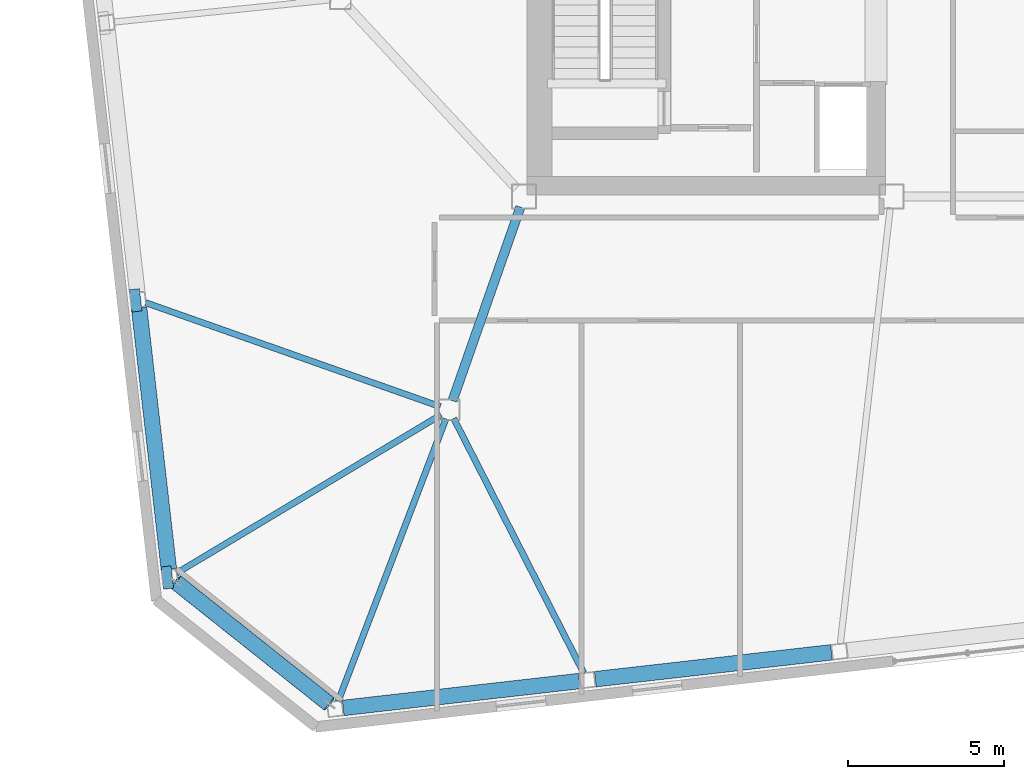
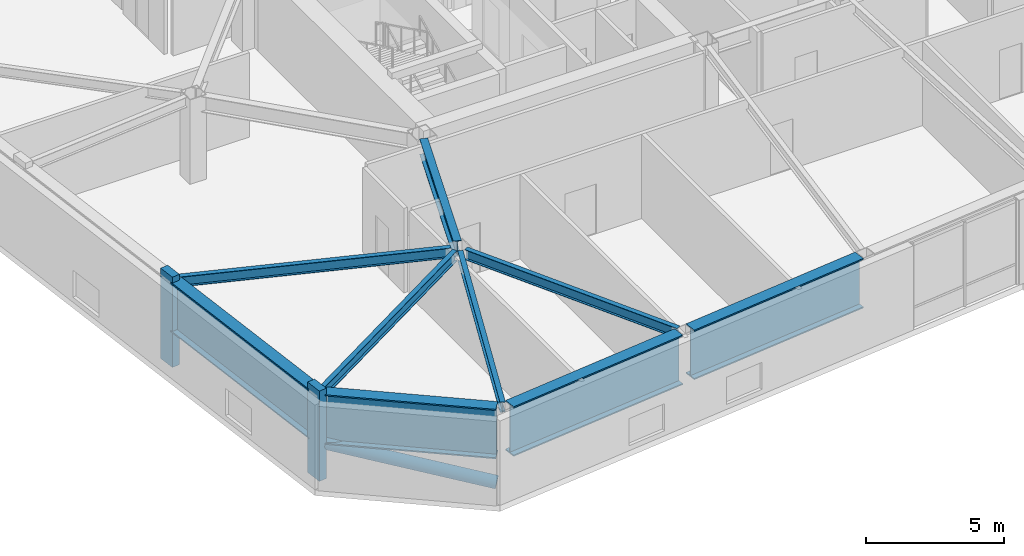
# One storey, part 3 of 20: 9 beams, 3 members.
"""IFC4 building model written with IfcOpenShell, lengths in metres."""

import ifcopenshell
import ifcopenshell.guid

model = None  # the IFC model being written
_history = None  # IfcOwnerHistory: only IFC2X3 demands one
_inside = {}  # id of a spatial element -> (the spatial element, [elements in it])
_under = {}  # id of a project, library or spatial element -> (it, [spatial elements below it])
_declared = {}  # id of a project -> (the project, [libraries it declares])
_typed = {}  # id of a type object -> (the type object, [elements of that type])
_made_of = {}  # id of a material, layer set ... -> (it, [elements and type objects made of it])


def new_model(schema):
    """Start an empty IFC model of exactly this schema.

    Asked for "IFC4X3", IfcOpenShell would pick the latest addendum, in which some entities
    have other attributes; the version numbers below select the first issue.
    IFC2X3 requires an IfcOwnerHistory on every rooted entity: one is made here for all.
    """
    global model, _history
    if schema == "IFC4X3":
        model = ifcopenshell.file(schema_version=(4, 3, 0, 0))
    else:
        model = ifcopenshell.file(schema=schema)
    _inside.clear()
    _under.clear()
    _declared.clear()
    _typed.clear()
    _made_of.clear()
    _history = None
    if model.schema == "IFC2X3":
        org = make("IfcOrganization", Name="unknown")
        user = make(
            "IfcPersonAndOrganization",
            ThePerson=make("IfcPerson", FamilyName="unknown"),
            TheOrganization=org,
        )
        app = make(
            "IfcApplication",
            ApplicationDeveloper=org,
            Version="unknown",
            ApplicationFullName="unknown",
            ApplicationIdentifier="unknown",
        )
        _history = make(
            "IfcOwnerHistory",
            OwningUser=user,
            OwningApplication=app,
            ChangeAction="ADDED",
            CreationDate=0,
        )
    return model


def make(cls, **values):
    """One entity of the class cls with the attributes given. An attribute that is None is left unset."""
    return model.create_entity(
        cls, **{name: value for name, value in values.items() if value is not None}
    )


def rooted(cls, **values):
    """An entity with a GlobalId (a new one), such as an element, a storey or a relation."""
    return make(cls, GlobalId=ifcopenshell.guid.new(), OwnerHistory=_history, **values)


def si_unit(unit_type, name, prefix=None):
    """IfcSIUnit, for example si_unit("LENGTHUNIT", "METRE", prefix="MILLI")."""
    return make("IfcSIUnit", UnitType=unit_type, Prefix=prefix, Name=name)


def assignment(units):
    """IfcUnitAssignment: the units of a project."""
    return None if units is None else make("IfcUnitAssignment", Units=units)


def point(xyz):
    """IfcCartesianPoint."""
    return None if xyz is None else make("IfcCartesianPoint", Coordinates=xyz)


def direction(xyz):
    """IfcDirection."""
    return None if xyz is None else make("IfcDirection", DirectionRatios=xyz)


def frame(location, z_axis=None, x_axis=None):
    """IfcAxis2Placement3D, a coordinate frame: its origin and axes. An axis left out is left unset."""
    return make(
        "IfcAxis2Placement3D",
        Location=point(location),
        Axis=direction(z_axis),
        RefDirection=direction(x_axis),
    )


def frame_2d(location, x_axis=None):
    """IfcAxis2Placement2D, a coordinate frame in the plane: its origin and x axis."""
    return make(
        "IfcAxis2Placement2D", Location=point(location), RefDirection=direction(x_axis)
    )


def origin():
    """The frame at (0, 0, 0) with its axes left unset."""
    return frame((0.0, 0.0, 0.0))


def origin_2d():
    """The frame at (0, 0) in the plane with its x axis left unset."""
    return frame_2d((0.0, 0.0))


def place(relative_to, where):
    """IfcLocalPlacement: puts the frame where relative to a parent placement (None: the world)."""
    return make(
        "IfcLocalPlacement", PlacementRelTo=relative_to, RelativePlacement=where
    )


def context(
    kind, dimensions, precision=None, world=None, true_north=None, identifier=None
):
    """IfcGeometricRepresentationContext, for example the 3D "Model" context."""
    return make(
        "IfcGeometricRepresentationContext",
        ContextIdentifier=identifier,
        ContextType=kind,
        CoordinateSpaceDimension=dimensions,
        Precision=precision,
        WorldCoordinateSystem=world,
        TrueNorth=true_north,
    )


def subcontext(parent, identifier, kind, view, scale=None):
    """IfcGeometricRepresentationSubContext, for example "Body" below "Model"."""
    return make(
        "IfcGeometricRepresentationSubContext",
        ContextIdentifier=identifier,
        ContextType=kind,
        ParentContext=parent,
        TargetScale=scale,
        TargetView=view,
    )


def project(units=None, contexts=None):
    """IfcProject with its units and contexts."""
    return rooted(
        "IfcProject",
        Name="project",
        RepresentationContexts=contexts,
        UnitsInContext=assignment(units),
    )


def spatial(cls, under=None, at=None, **own):
    """A site, building, storey or space (cls), placed at a placement, below another one or the project."""
    s = rooted(cls, ObjectPlacement=at, **own)
    if under is not None:
        _under.setdefault(under.id(), (under, []))[1].append(s)
    return s


def profile(cls, at=None, kind="AREA", **sizes):
    """A parametric profile (cls). Its sizes go by their IFC names, for example OverallWidth=200.0."""
    return make(cls, ProfileType=kind, Position=at, **sizes)


def rectangle(**sizes):
    """IfcRectangleProfileDef."""
    return profile("IfcRectangleProfileDef", **sizes)


def hollow_circle(**sizes):
    """IfcCircleHollowProfileDef."""
    return profile("IfcCircleHollowProfileDef", **sizes)


def i_section(**sizes):
    """IfcIShapeProfileDef."""
    return profile("IfcIShapeProfileDef", **sizes)


def extrude(swept, where, along, depth):
    """IfcExtrudedAreaSolid: the profile swept, set in the frame where, extruded along a direction by depth."""
    return make(
        "IfcExtrudedAreaSolid",
        SweptArea=swept,
        Position=where,
        ExtrudedDirection=direction(along),
        Depth=depth,
    )


def shape(context_of_items, identifier, shape_type, items):
    """IfcShapeRepresentation: the items that make up one representation, for example the "Body"."""
    return make(
        "IfcShapeRepresentation",
        ContextOfItems=context_of_items,
        RepresentationIdentifier=identifier,
        RepresentationType=shape_type,
        Items=items,
    )


def material(Name=None, Category=None):
    """IfcMaterial."""
    return make("IfcMaterial", Name=Name, Category=Category)


def material_profile(
    of_material, cross_section, Name=None, Category=None, Priority=None
):
    """IfcMaterialProfile: a cross section and its material."""
    return make(
        "IfcMaterialProfile",
        Name=Name,
        Material=of_material,
        Profile=cross_section,
        Priority=Priority,
        Category=Category,
    )


def profile_set(profiles, Name=None, composite=None):
    """IfcMaterialProfileSet."""
    return make(
        "IfcMaterialProfileSet",
        Name=Name,
        MaterialProfiles=profiles,
        CompositeProfile=composite,
    )


def made_of(thing, what):
    """Note that an element or type object is made of a material, layer set ...; save() writes the relation."""
    if what is not None:
        _made_of.setdefault(what.id(), (what, []))[1].append(thing)
    return thing


def type_object(cls, material=None, **own):
    """A type object (cls), such as IfcWallType, which elements share."""
    return made_of(rooted(cls, **own), material)


def element(
    cls,
    number,
    at=None,
    inside=None,
    cuts=None,
    type_object=None,
    material=None,
    context=None,
    identifier="Body",
    shape_type=None,
    held_by="IfcProductDefinitionShape",
    body=None,
    shapes=None,
    **own,
):
    """One element of the class cls, such as IfcWall. Its Tag is "e" and its number.

    at: its placement. inside: the storey or other place that contains it. cuts: it is an
    opening in that element (IfcRelVoidsElement). A single representation is given by context,
    identifier, shape_type and body (its items); several are given by shapes. held_by: the class
    of the entity that holds the representations. save() writes the other relations.
    """
    e = rooted(cls, Tag="e%d" % number, ObjectPlacement=at, **own)
    if body is not None:
        shapes = [shape(context, identifier, shape_type, body)]
    if shapes is not None:
        e.Representation = make(held_by, Representations=shapes)
    if inside is not None:
        _inside.setdefault(inside.id(), (inside, []))[1].append(e)
    if cuts is not None:
        rooted(
            "IfcRelVoidsElement", RelatingBuildingElement=cuts, RelatedOpeningElement=e
        )
    if type_object is not None:
        _typed.setdefault(type_object.id(), (type_object, []))[1].append(e)
    return made_of(e, material)


def aggregate(whole, parts):
    """IfcRelAggregates: a whole, such as a stair, and the parts it consists of."""
    return rooted("IfcRelAggregates", RelatingObject=whole, RelatedObjects=parts)


def save(model, path):
    """Write the relations noted so far, then the file.

    IfcRelAggregates (storeys below a building ...), IfcRelContainedInSpatialStructure (elements
    in a storey), IfcRelDefinesByType, IfcRelAssociatesMaterial and IfcRelDeclares: one each for
    every whole, place, type object, material and project.
    """
    for whole, parts in _under.values():
        aggregate(whole, parts)
    for where, things in _inside.values():
        rooted(
            "IfcRelContainedInSpatialStructure",
            RelatedElements=things,
            RelatingStructure=where,
        )
    for kind, things in _typed.values():
        rooted("IfcRelDefinesByType", RelatedObjects=things, RelatingType=kind)
    for what, things in _made_of.values():
        rooted("IfcRelAssociatesMaterial", RelatedObjects=things, RelatingMaterial=what)
    for by, libraries in _declared.values():
        rooted("IfcRelDeclares", RelatingContext=by, RelatedDefinitions=libraries)
    model.write(path)


model = new_model("IFC4")

# Units and contexts
model_context = context("Model", 3, precision=1e-05, world=origin(), true_north=direction((0.0, 1.0)))
body_context = subcontext(model_context, "Body", "Model", "MODEL_VIEW")
ifc_project = project(units=[si_unit("LENGTHUNIT", "METRE"), si_unit("AREAUNIT", "SQUARE_METRE"), si_unit("VOLUMEUNIT", "CUBIC_METRE"), si_unit("PLANEANGLEUNIT", "RADIAN"), si_unit("MASSUNIT", "GRAM", prefix="KILO")], contexts=[model_context])

# Site, building, storey
site_placement = place(None, origin())
site = spatial("IfcSite", under=ifc_project, at=site_placement, CompositionType="ELEMENT")
building_placement = place(site_placement, origin())
building = spatial("IfcBuilding", under=site, at=building_placement, Name="Tavrogorsk Clinical Tower", CompositionType="ELEMENT")
storey_placement = place(building_placement, frame((0.0, 0.0, 234.199951171875)))
storey = spatial("IfcBuildingStorey", under=building, at=storey_placement, Name="L54", CompositionType="ELEMENT", Elevation=234.199951171875)

# Member
ifc_material_1 = material(Name="Structural steel S440", Category="steel")
ifc_material_profile_1 = material_profile(ifc_material_1, hollow_circle(Radius=0.25390625, WallThickness=0.02001953125, at=origin_2d()), Name="CHS-508x20")
ifc_profile_set_1 = profile_set([ifc_material_profile_1], Name="Structural steel S440")
member_type_1 = type_object("IfcMemberType", Name="ExoBrace_CHS508", PredefinedType="BRACE", material=ifc_profile_set_1)
member_placement = place(storey_placement, frame((-28.363525390625, -22.644287109375, 0.344482421875), z_axis=(-0.770848240557, 0.613163423379, 0.172695125176), x_axis=(-0.622516531029, -0.782606649981, 0.0)))
element("IfcMember", 1, at=member_placement, inside=storey, type_object=member_type_1, Name="L54 Corner Exoskeleton Brace W5-S1", PredefinedType="BRACE", context=body_context, shape_type="SweptSolid", body=[
    extrude(hollow_circle(Radius=0.25390625, WallThickness=0.02001953125, at=origin_2d()), origin(), (0.0, 0.0, 1.0), 6.375732421875),
])

# Beams
ifc_material_2 = material(Name="Structural steel S355", Category="steel")
ifc_material_profile_2 = material_profile(ifc_material_2, i_section(OverallWidth=0.199951171875, OverallDepth=0.449951171875, WebThickness=0.011474609375, FlangeThickness=0.01806640625, at=origin_2d()), Name="B-450x200x11.5x18")
ifc_profile_set_2 = profile_set([ifc_material_profile_2], Name="Structural steel S355")
beam_type_1 = type_object("IfcBeamType", Name="FloorBeam_B450", PredefinedType="BEAM", material=ifc_profile_set_2)
beam_1_placement = place(storey_placement, frame((-24.610595703125, -13.489501953125, 3.51513671875), z_axis=(-0.356548354426, -0.93427687061, 0.0), x_axis=(0.93427687061, -0.356548354426, 0.0)))
element("IfcBeam", 2, at=beam_1_placement, inside=storey, type_object=beam_type_1, Name="L54 Radial Floor Beam S1", PredefinedType="BEAM", context=body_context, shape_type="SweptSolid", body=[
    extrude(i_section(OverallWidth=0.199951171875, OverallDepth=0.449951171875, WebThickness=0.011474609375, FlangeThickness=0.01806640625, at=origin_2d()), origin(), (0.0, 0.0, 1.0), 9.710205078125),
])
beam_2_placement = place(storey_placement, frame((-24.359130859375, -13.47607421875, 3.51513671875), z_axis=(0.454709818127, -0.890639647275, 0.0), x_axis=(0.890639647275, 0.454709818127, 0.0)))
element("IfcBeam", 3, at=beam_2_placement, inside=storey, type_object=beam_type_1, Name="L54 Radial Floor Beam S2", PredefinedType="BEAM", context=body_context, shape_type="SweptSolid", body=[
    extrude(i_section(OverallWidth=0.199951171875, OverallDepth=0.449951171875, WebThickness=0.011474609375, FlangeThickness=0.01806640625, at=origin_2d()), origin(), (0.0, 0.0, 1.0), 9.177978515625),
])
beam_3_placement = place(storey_placement, frame((-24.792236328125, -13.096923828125, 3.51513671875), z_axis=(-0.943014153926, 0.332752619067, 0.0), x_axis=(-0.332752619067, -0.943014153926, 0.0)))
element("IfcBeam", 4, at=beam_3_placement, inside=storey, type_object=beam_type_1, Name="L54 Radial Floor Beam W4", PredefinedType="BEAM", context=body_context, shape_type="SweptSolid", body=[
    extrude(i_section(OverallWidth=0.199951171875, OverallDepth=0.449951171875, WebThickness=0.011474609375, FlangeThickness=0.01806640625, at=origin_2d()), origin(), (0.0, 0.0, 1.0), 10.027587890625),
])
beam_4_placement = place(storey_placement, frame((-24.765869140625, -13.359375, 3.51513671875), z_axis=(-0.857906237315, -0.513806274754, 0.0), x_axis=(0.513806274754, -0.857906237315, 0.0)))
element("IfcBeam", 5, at=beam_4_placement, inside=storey, type_object=beam_type_1, Name="L54 Radial Floor Beam W5", PredefinedType="BEAM", context=body_context, shape_type="SweptSolid", body=[
    extrude(i_section(OverallWidth=0.199951171875, OverallDepth=0.449951171875, WebThickness=0.011474609375, FlangeThickness=0.01806640625, at=origin_2d()), origin(), (0.0, 0.0, 1.0), 9.896240234375),
])

# Members
ifc_material_3 = material(Name="Precast concrete B45 with limestone cladding", Category="masonry")
ifc_material_profile_3 = material_profile(ifc_material_3, rectangle(XDim=0.320068359375, YDim=0.719970703125, at=origin_2d()), Name="LIMESTONE-FIN-320x720")
ifc_profile_set_3 = profile_set([ifc_material_profile_3], Name="Precast concrete B45 with limestone cladding")
member_type_2 = type_object("IfcMemberType", Name="LimestonePleatFin_320x720", PredefinedType="USERDEFINED", material=ifc_profile_set_3)
for number, where, z_axis, x_axis, name in (
    (6, (-34.571044921875, -9.683349609375, 0.0), (0.0, 0.0, 1.0), (0.993571855677, 0.113203213768, 0.0), "L54 W Pleated Stone Fin 3"),
    (7, (-33.556640625, -18.585693359375, 0.0), (0.0, 0.0, 1.0), (0.993571855677, 0.113203213768, 0.0), "L54 W Pleated Stone Fin 4"),
):
    element("IfcMember", number, at=place(storey_placement, frame(where, z_axis=z_axis, x_axis=x_axis)), inside=storey, type_object=member_type_2, Name=name, ObjectType="FIN", PredefinedType="USERDEFINED", context=body_context, shape_type="SweptSolid", body=[
        extrude(rectangle(XDim=0.320068359375, YDim=0.719970703125, at=origin_2d()), origin(), (0.0, 0.0, 1.0), 4.0),
    ])

# Beams
ifc_material_4 = material(Name="Structural steel S390", Category="steel")
ifc_material_profile_4 = material_profile(ifc_material_4, i_section(OverallWidth=0.300048828125, OverallDepth=0.699951171875, WebThickness=0.01708984375, FlangeThickness=0.028076171875, at=origin_2d()), Name="B-700x300x17x28")
ifc_profile_set_4 = profile_set([ifc_material_profile_4], Name="Structural steel S390")
beam_type_2 = type_object("IfcBeamType", Name="PrimaryGirder_B700", PredefinedType="USERDEFINED", material=ifc_profile_set_4)
beam_5_placement = place(storey_placement, frame((-24.3974609375, -12.907470703125, 3.39013671875), z_axis=(0.330654121425, 0.943752007672, 0.0), x_axis=(-0.943752007672, 0.330654121425, 0.0)))
element("IfcBeam", 8, at=beam_5_placement, inside=storey, type_object=beam_type_2, Name="L54 Spine Link Girder OPG-1", ObjectType="GIRDER", PredefinedType="USERDEFINED", context=body_context, shape_type="SweptSolid", body=[
    extrude(i_section(OverallWidth=0.300048828125, OverallDepth=0.699951171875, WebThickness=0.01708984375, FlangeThickness=0.028076171875, at=origin_2d()), origin(), (0.0, 0.0, 1.0), 6.58837890625),
])
ifc_material_5 = material(Name="Structural steel S440", Category="steel")
ifc_material_profile_5 = material_profile(ifc_material_5, i_section(OverallWidth=0.5, OverallDepth=2.199951171875, WebThickness=0.035888671875, FlangeThickness=0.054931640625, at=origin_2d()), Name="DK-2200x500x36x55")
ifc_profile_set_5 = profile_set([ifc_material_profile_5], Name="Structural steel S440")
beam_type_3 = type_object("IfcBeamType", Name="TransferGirder_DK2200", PredefinedType="USERDEFINED", material=ifc_profile_set_5)
for number, where, z_axis, x_axis, name in (
    (9, (-27.908447265625, -22.773193359375, 2.64013671875), (0.993575697004, 0.113169493787, 0.0), (-0.113169493787, 0.993575697004, 0.0), "L54 Perimeter Spandrel S1-S2"),
    (10, (-19.812255859375, -21.850830078125, 2.64013671875), (0.993572099834, 0.113201070804, 0.0), (-0.113201070804, 0.993572099834, 0.0), "L54 Perimeter Spandrel S2-S3"),
):
    element("IfcBeam", number, at=place(storey_placement, frame(where, z_axis=z_axis, x_axis=x_axis)), inside=storey, type_object=beam_type_3, Name=name, ObjectType="GIRDER", PredefinedType="USERDEFINED", context=body_context, shape_type="SweptSolid", body=[
        extrude(i_section(OverallWidth=0.5, OverallDepth=2.199951171875, WebThickness=0.035888671875, FlangeThickness=0.054931640625, at=origin_2d()), origin(), (0.0, 0.0, 1.0), 7.632568359375),
    ])
beam_6_placement = place(storey_placement, frame((-34.46240234375, -9.9306640625, 2.64013671875), z_axis=(0.113223671813, -0.993569524563, 0.0), x_axis=(0.993569524563, 0.113223671813, 0.0)))
element("IfcBeam", 11, at=beam_6_placement, inside=storey, type_object=beam_type_3, Name="L54 Perimeter Spandrel W4-W5", ObjectType="GIRDER", PredefinedType="USERDEFINED", context=body_context, shape_type="SweptSolid", body=[
    extrude(i_section(OverallWidth=0.5, OverallDepth=2.199951171875, WebThickness=0.035888671875, FlangeThickness=0.054931640625, at=origin_2d()), origin(), (0.0, 0.0, 1.0), 8.44384765625),
])
beam_7_placement = place(storey_placement, frame((-33.275390625, -18.7373046875, 2.64013671875), z_axis=(0.782608811853, -0.622513813188, 0.0), x_axis=(0.622513813188, 0.782608811853, 0.0)))
element("IfcBeam", 12, at=beam_7_placement, inside=storey, type_object=beam_type_3, Name="L54 Perimeter Spandrel W5-S1", ObjectType="GIRDER", PredefinedType="USERDEFINED", context=body_context, shape_type="SweptSolid", body=[
    extrude(i_section(OverallWidth=0.5, OverallDepth=2.199951171875, WebThickness=0.035888671875, FlangeThickness=0.054931640625, at=origin_2d()), origin(), (0.0, 0.0, 1.0), 6.272216796875),
])

save(model, "model.ifc")
